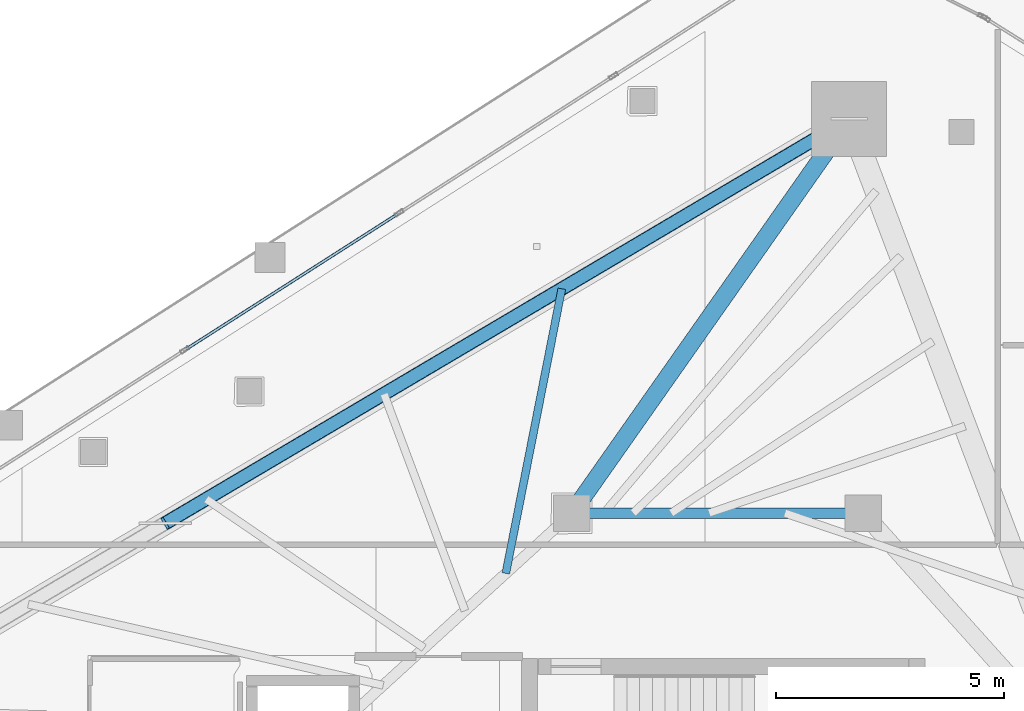
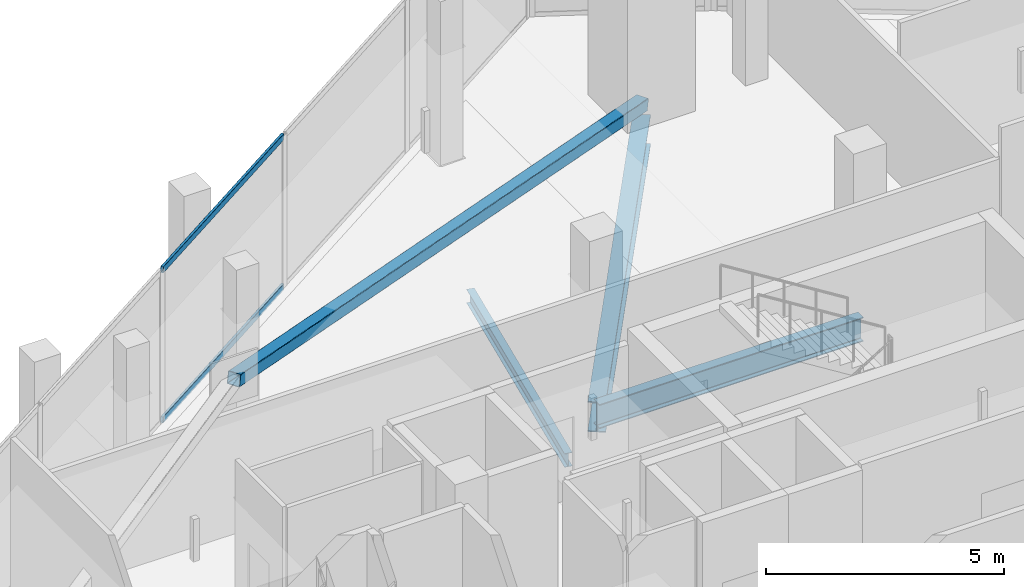
# One storey, part 18 of 34: 3 beams, 3 members, 1 element without a shape of its own.
"""IFC4 building model written with IfcOpenShell, lengths in metres."""

from ifc_helpers import new_model, si_unit, direction, frame, origin, origin_2d, place, context, subcontext, project, spatial, hollow_rectangle, i_section, extrude, material, layer, layer_set, material_profile, profile_set, type_object, element, aggregate, save


model = new_model("IFC4")

# Units and contexts
model_context = context("Model", 3, precision=1e-05, world=origin(), true_north=direction((0.0, 1.0)))
body_context = subcontext(model_context, "Body", "Model", "MODEL_VIEW")
ifc_project = project(units=[si_unit("LENGTHUNIT", "METRE"), si_unit("AREAUNIT", "SQUARE_METRE"), si_unit("VOLUMEUNIT", "CUBIC_METRE"), si_unit("PLANEANGLEUNIT", "RADIAN"), si_unit("MASSUNIT", "GRAM", prefix="KILO")], contexts=[model_context])

# Site, building, storey
site_placement = place(None, origin())
site = spatial("IfcSite", under=ifc_project, at=site_placement, CompositionType="ELEMENT")
building_placement = place(site_placement, origin())
building = spatial("IfcBuilding", under=site, at=building_placement, Name="Qorvath Tower", CompositionType="ELEMENT")
storey_placement = place(building_placement, frame((0.0, 0.0, 276.60009765625)))
storey = spatial("IfcBuildingStorey", under=building, at=storey_placement, Name="L64", CompositionType="ELEMENT", Elevation=276.60009765625)

# Beams
ifc_material_1 = material(Name="Steel ASTM A992 Grade 50", Category="steel")
ifc_material_profile_1 = material_profile(ifc_material_1, i_section(OverallWidth=0.381103515625, OverallDepth=0.77294921875, WebThickness=0.0166015625, FlangeThickness=0.027099609375, FilletRadius=0.01904296875, at=origin_2d()), Name="W30x173")
ifc_profile_set_1 = profile_set([ifc_material_profile_1], Name="Steel ASTM A992 Grade 50")
beam_type_1 = type_object("IfcBeamType", Name="BM-FG3", PredefinedType="BEAM", material=ifc_profile_set_1)
beam_1_placement = place(storey_placement, frame((-23.60009765625, 11.449951171875, -0.676513671875), z_axis=(0.575274974004, 0.81796008722, 0.0), x_axis=(-0.81796008722, 0.575274974004, 0.0)))
element("IfcBeam", 1, at=beam_1_placement, inside=storey, type_object=beam_type_1, Name="Radial Floor Girder CC1-MC6 L64", PredefinedType="BEAM", context=body_context, shape_type="SweptSolid", body=[
    extrude(i_section(OverallWidth=0.381103515625, OverallDepth=0.77294921875, WebThickness=0.0166015625, FlangeThickness=0.027099609375, FilletRadius=0.01904296875, at=origin_2d()), origin(), (0.0, 0.0, 1.0), 10.5771484375),
])
ifc_material_2 = material(Name="Steel ASTM A992 Grade 50", Category="steel")
ifc_material_profile_2 = material_profile(ifc_material_2, i_section(OverallWidth=0.22998046875, OverallDepth=0.616943359375, WebThickness=0.01318359375, FlangeThickness=0.022216796875, FilletRadius=0.014892578125, at=origin_2d()), Name="W24x94")
ifc_profile_set_2 = profile_set([ifc_material_profile_2], Name="Steel ASTM A992 Grade 50")
beam_type_2 = type_object("IfcBeamType", Name="BM-FG6", PredefinedType="BEAM", material=ifc_profile_set_2)
beam_2_placement = place(storey_placement, frame((-23.60009765625, 11.449951171875, -0.598388671875), z_axis=(1.0, 0.0, 0.0), x_axis=(0.0, 1.0, 0.0)))
element("IfcBeam", 2, at=beam_2_placement, inside=storey, type_object=beam_type_2, Name="Core Ring Girder CC1-CC2 L64", PredefinedType="BEAM", context=body_context, shape_type="SweptSolid", body=[
    extrude(i_section(OverallWidth=0.22998046875, OverallDepth=0.616943359375, WebThickness=0.01318359375, FlangeThickness=0.022216796875, FilletRadius=0.014892578125, at=origin_2d()), origin(), (0.0, 0.0, 1.0), 6.400146484375),
])
ifc_material_3 = material(Name="Steel ASTM A992 Grade 50", Category="steel")
ifc_material_profile_3 = material_profile(ifc_material_3, i_section(OverallWidth=0.1708984375, OverallDepth=0.35107421875, WebThickness=0.0068359375, FlangeThickness=0.009765625, FilletRadius=0.010009765625, at=origin_2d()), Name="W14x30")
ifc_profile_set_3 = profile_set([ifc_material_profile_3], Name="Steel ASTM A992 Grade 50")
beam_type_3 = type_object("IfcBeamType", Name="BM-FJ4", PredefinedType="JOIST", material=ifc_profile_set_3)
beam_3_placement = place(storey_placement, frame((-25.049072265625, 10.126953125, -0.465576171875), z_axis=(0.193040016911, 0.981190884523, 0.0), x_axis=(-0.981190884523, 0.193040016911, 0.0)))
element("IfcBeam", 3, at=beam_3_placement, inside=storey, type_object=beam_type_3, Name="Composite Floor Joist NW6 L64", PredefinedType="JOIST", context=body_context, shape_type="SweptSolid", body=[
    extrude(i_section(OverallWidth=0.1708984375, OverallDepth=0.35107421875, WebThickness=0.0068359375, FlangeThickness=0.009765625, FilletRadius=0.010009765625, at=origin_2d()), origin(), (0.0, 0.0, 1.0), 6.366455078125),
])

# Curtain wall, members
ifc_material_4 = material(Name="Anodised aluminium and triple low-E glass", Category="aluminium")
ifc_layer = layer(ifc_material_4, 0.179931640625)
ifc_layer_set = layer_set([ifc_layer], Name="CW-SYS-4")
curtain_wall_type = type_object("IfcCurtainWallType", Name="CW-SYS-4", PredefinedType="NOTDEFINED", material=ifc_layer_set)
curtain_wall_placement = place(storey_placement, origin())
curtain_wall = element("IfcCurtainWall", 4, at=curtain_wall_placement, inside=storey, type_object=curtain_wall_type, Name="Curtain Wall CW-4 CW-T-L64-16.1", PredefinedType="NOTDEFINED")
ifc_material_5 = material(Name="Anodised aluminium 6063-T6", Category="aluminium")
ifc_material_profile_4 = material_profile(ifc_material_5, hollow_rectangle(XDim=0.06494140625, YDim=0.159912109375, WallThickness=0.00341796875, InnerFilletRadius=0.00341796875, OuterFilletRadius=0.007080078125, at=origin_2d()), Name="CWT 160x65")
ifc_profile_set_4 = profile_set([ifc_material_profile_4], Name="Anodised aluminium 6063-T6")
member_type_1 = type_object("IfcMemberType", Name="CWT-160", PredefinedType="USERDEFINED", material=ifc_profile_set_4)
member_1_placement = place(storey_placement, frame((-27.422119140625, 18.015380859375, 0.032470703125), z_axis=(-0.842597346925, -0.538544065935, 0.0), x_axis=(0.538544065935, -0.842597346925, 0.0)))
member_1 = element("IfcMember", 5, at=member_1_placement, type_object=member_type_1, Name="CW-4 transom 3.1", ObjectType="TRANSOM", PredefinedType="USERDEFINED", context=body_context, shape_type="SweptSolid", body=[
    extrude(hollow_rectangle(XDim=0.06494140625, YDim=0.159912109375, WallThickness=0.00341796875, InnerFilletRadius=0.00341796875, OuterFilletRadius=0.007080078125, at=origin_2d()), origin(), (0.0, 0.0, 1.0), 5.506591796875),
])
member_2_placement = place(storey_placement, frame((-27.422119140625, 18.015380859375, 3.87744140625), z_axis=(-0.842597346925, -0.538544065935, 0.0), x_axis=(0.538544065935, -0.842597346925, 0.0)))
member_2 = element("IfcMember", 6, at=member_2_placement, type_object=member_type_1, Name="CW-4 transom 3.2", ObjectType="TRANSOM", PredefinedType="USERDEFINED", context=body_context, shape_type="SweptSolid", body=[
    extrude(hollow_rectangle(XDim=0.06494140625, YDim=0.159912109375, WallThickness=0.00341796875, InnerFilletRadius=0.00341796875, OuterFilletRadius=0.007080078125, at=origin_2d()), origin(), (0.0, 0.0, 1.0), 5.506591796875),
])
aggregate(curtain_wall, [member_1, member_2])

# Member
ifc_material_6 = material(Name="Steel ASTM A500 Grade C", Category="steel")
ifc_material_profile_5 = material_profile(ifc_material_6, hollow_rectangle(XDim=0.3046875, YDim=0.3046875, WallThickness=0.0126953125, InnerFilletRadius=0.0126953125, OuterFilletRadius=0.025390625, at=origin_2d()), Name="HSS 305x305x12.7")
ifc_profile_set_5 = profile_set([ifc_material_profile_5], Name="Steel ASTM A500 Grade C")
member_type_2 = type_object("IfcMemberType", Name="MEM-MB3", PredefinedType="BRACE", material=ifc_profile_set_5)
member_3_placement = place(storey_placement, frame((-17.515380859375, 20.1015625, 0.0), z_axis=(-0.843391070594, -0.498687925097, 0.20000463846), x_axis=(0.508971724088, -0.86078323873, 0.0)))
element("IfcMember", 7, at=member_3_placement, inside=storey, type_object=member_type_2, Name="Perimeter Chevron Brace L64-1A", PredefinedType="BRACE", context=body_context, shape_type="SweptSolid", body=[
    extrude(hollow_rectangle(XDim=0.3046875, YDim=0.3046875, WallThickness=0.0126953125, InnerFilletRadius=0.0126953125, OuterFilletRadius=0.025390625, at=origin_2d()), origin(), (0.0, 0.0, 1.0), 17.798583984375),
])

save(model, "model.ifc")
